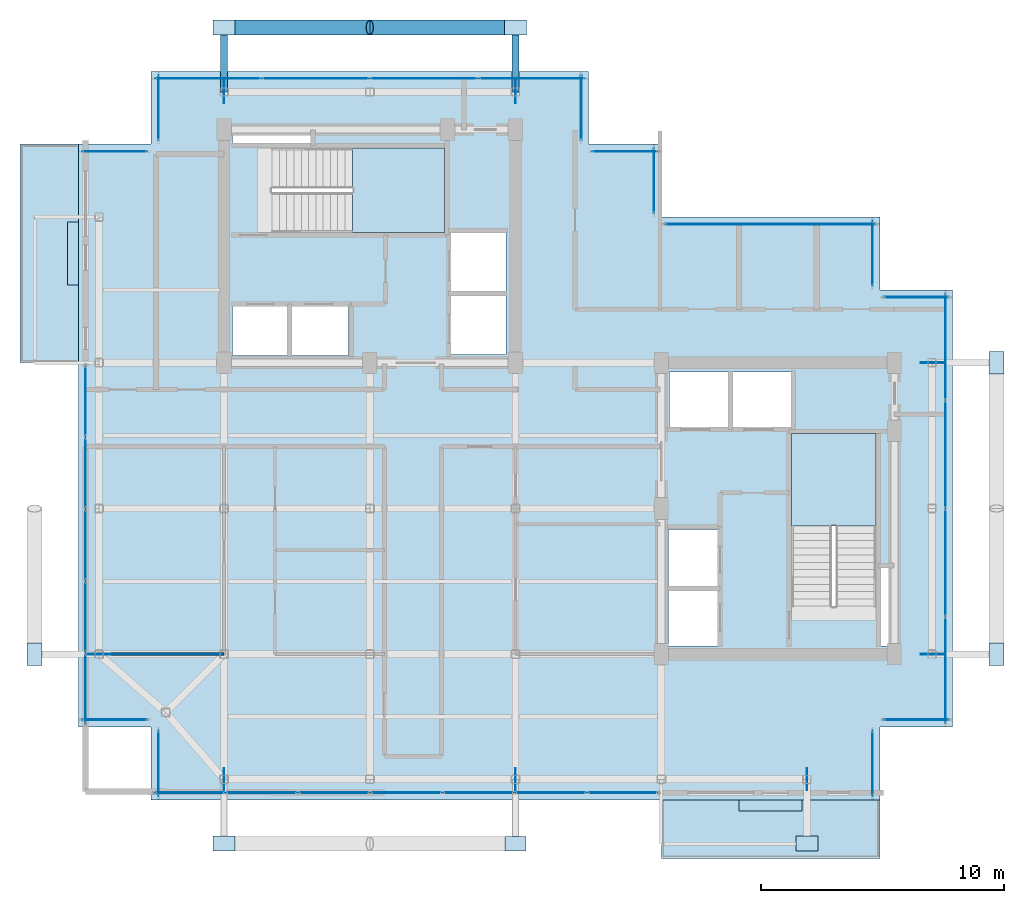
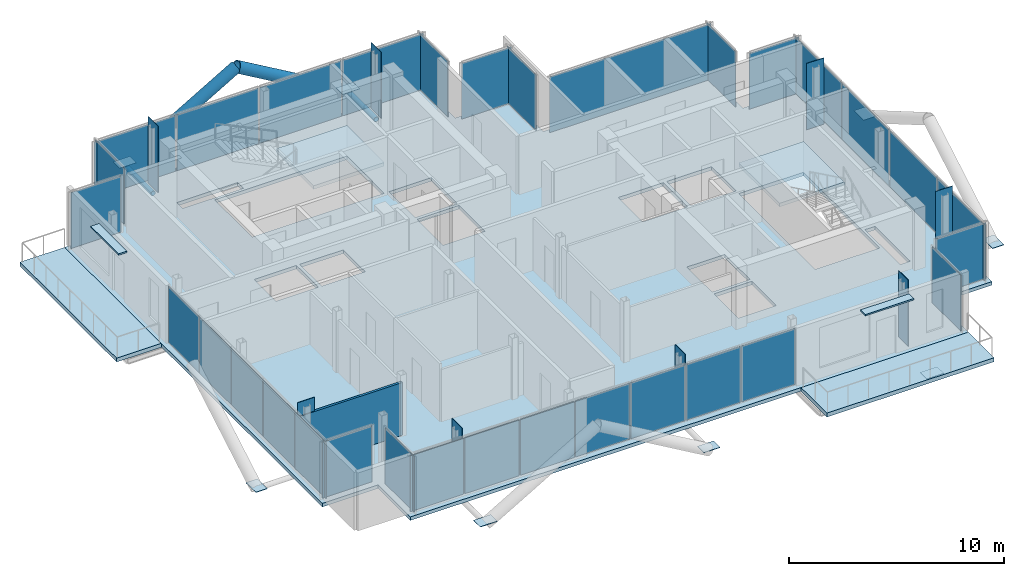
# One storey, part 14 of 19: 50 plates, 5 slabs, 4 members, 1 wall, 18 elements without a shape of their own.
"""IFC4 building model written with IfcOpenShell, lengths in metres."""

from ifc_helpers import new_model, si_unit, direction, frame, frame_2d, origin, origin_2d, place, context, subcontext, project, spatial, polyline, rectangle, hollow_circle, outline, extrude, material, layer, layer_set, material_profile, profile_set, type_object, element, aggregate, save


model = new_model("IFC4")

# Units and contexts
model_context = context("Model", 3, precision=1e-05, world=origin(), true_north=direction((0.0, 1.0)))
body_context = subcontext(model_context, "Body", "Model", "MODEL_VIEW")
ifc_project = project(units=[si_unit("LENGTHUNIT", "METRE"), si_unit("AREAUNIT", "SQUARE_METRE"), si_unit("VOLUMEUNIT", "CUBIC_METRE"), si_unit("PLANEANGLEUNIT", "RADIAN"), si_unit("MASSUNIT", "GRAM", prefix="KILO"), si_unit("THERMODYNAMICTEMPERATUREUNIT", "KELVIN"), si_unit("POWERUNIT", "WATT")], contexts=[model_context])

# Site, building, storey
site_placement = place(None, origin())
site = spatial("IfcSite", under=ifc_project, at=site_placement, CompositionType="ELEMENT")
building_placement = place(site_placement, origin())
building = spatial("IfcBuilding", under=site, at=building_placement, Name="Svarakhadi Broadcast Tower", CompositionType="ELEMENT")
storey_placement = place(building_placement, frame((0.0, 0.0, 243.199951171875)))
storey = spatial("IfcBuildingStorey", under=building, at=storey_placement, Name="L60", CompositionType="ELEMENT", Elevation=243.199951171875)

# Members
ifc_material_1 = material(Name="Steel S460ML (IS 2062 E450BR)", Category="steel")
ifc_material_profile_1 = material_profile(ifc_material_1, hollow_circle(Radius=0.304931640625, WallThickness=0.030029296875, at=origin_2d()), Name="CHS 610x30")
ifc_profile_set_1 = profile_set([ifc_material_profile_1], Name="Steel S460ML (IS 2062 E450BR)")
member_type_1 = type_object("IfcMemberType", Name="Exo_Brace_CHS610", PredefinedType="BRACE", material=ifc_profile_set_1)
for number, where, z_axis, x_axis, name in (
    (1, (6.0, 31.800048828125, -0.33642578125), (0.863778900898, 0.0, 0.503871025524), (0.0, 1.0, 0.0), "L60 Exposed Bronze Exoskeleton Diagonal N06"),
    (2, (18.0, 31.800048828125, -0.33642578125), (-0.863778900898, 0.0, 0.503871025524), (0.0, -1.0, 0.0), "L60 Exposed Bronze Exoskeleton Diagonal N07"),
):
    element("IfcMember", number, at=place(storey_placement, frame(where, z_axis=z_axis, x_axis=x_axis)), inside=storey, type_object=member_type_1, Name=name, PredefinedType="BRACE", context=body_context, shape_type="SweptSolid", body=[
        extrude(hollow_circle(Radius=0.304931640625, WallThickness=0.030029296875, at=origin_2d()), origin(), (0.0, 0.0, 1.0), 6.9462890625),
    ])
ifc_material_profile_2 = material_profile(ifc_material_1, hollow_circle(Radius=0.136474609375, WallThickness=0.012451171875, at=origin_2d()), Name="CHS 273x12.5")
ifc_profile_set_2 = profile_set([ifc_material_profile_2], Name="Steel S460ML (IS 2062 E450BR)")
member_type_2 = type_object("IfcMemberType", Name="Exo_Radial_Strut_Z3", PredefinedType="STRUT", material=ifc_profile_set_2)
for number, where, z_axis, x_axis, name in (
    (3, (6.0, 31.800048828125, -0.33642578125), (0.0, -1.0, 0.0), (1.0, 0.0, 0.0), "L60 Exoskeleton Radial Tie Strut N07"),
    (4, (18.0, 31.800048828125, -0.33642578125), (0.0, -1.0, 0.0), (1.0, 0.0, 0.0), "L60 Exoskeleton Radial Tie Strut N08"),
):
    element("IfcMember", number, at=place(storey_placement, frame(where, z_axis=z_axis, x_axis=x_axis)), inside=storey, type_object=member_type_2, Name=name, PredefinedType="STRUT", context=body_context, shape_type="SweptSolid", body=[
        extrude(hollow_circle(Radius=0.136474609375, WallThickness=0.012451171875, at=origin_2d()), origin(), (0.0, 0.0, 1.0), 2.650146484375),
    ])

# Curtain wall, plate
ifc_material_2 = material(Name="Anodised Bronze Aluminium AA 6063-T6", Category="aluminium")
ifc_layer_1 = layer(ifc_material_2, 0.179931640625)
ifc_layer_set_1 = layer_set([ifc_layer_1], Name="Anodised Bronze Aluminium AA 6063-T6")
curtain_wall_type = type_object("IfcCurtainWallType", Name="CW_Sys_05", PredefinedType="NOTDEFINED", material=ifc_layer_set_1)
curtain_wall_1_placement = place(storey_placement, origin())
curtain_wall_1 = element("IfcCurtainWall", 5, at=curtain_wall_1_placement, inside=storey, type_object=curtain_wall_type, Name="L60 Unitised Facade Curtain Wall 01", PredefinedType="NOTDEFINED")
ifc_material_3 = material(Name="Double Low-E Laminated Acoustic Glass IGU 36 mm", Category="glass")
ifc_layer_2 = layer(ifc_material_3, 0.033935546875)
ifc_layer_set_2 = layer_set([ifc_layer_2], Name="Double Low-E Laminated Acoustic Glass IGU 36 mm")
plate_type_1 = type_object("IfcPlateType", Name="CW_Sys_05_Pnl", PredefinedType="CURTAIN_PANEL", material=ifc_layer_set_2)
plate_1_placement = place(storey_placement, frame((1.5, 3.300048828125, 0.065185546875), z_axis=(0.0, 0.0, 1.0), x_axis=(-1.0, 0.0, 0.0)))
plate_1 = element("IfcPlate", 6, at=plate_1_placement, type_object=plate_type_1, Name="CW-05 panel 1.1", PredefinedType="CURTAIN_PANEL", context=body_context, shape_type="SweptSolid", body=[
    extrude(rectangle(XDim=2.679931640625, YDim=0.033935546875, at=origin_2d()), origin(), (0.0, 0.0, 1.0), 3.169921875),
])
aggregate(curtain_wall_1, [plate_1])

# Curtain wall, plates
curtain_wall_2_placement = place(storey_placement, origin())
curtain_wall_2 = element("IfcCurtainWall", 7, at=curtain_wall_2_placement, inside=storey, type_object=curtain_wall_type, Name="L60 West Curtain Wall 02", PredefinedType="NOTDEFINED")
plate_2_placement = place(storey_placement, frame((0.300048828125, 4.589599609375, 0.065185546875), z_axis=(0.0, 0.0, 1.0), x_axis=(0.0, 1.0, 0.0)))
plate_2 = element("IfcPlate", 8, at=plate_2_placement, type_object=plate_type_1, Name="CW-05 panel 1.1", PredefinedType="CURTAIN_PANEL", context=body_context, shape_type="SweptSolid", body=[
    extrude(rectangle(XDim=2.85888671875, YDim=0.033935546875, at=origin_2d()), origin(), (0.0, 0.0, 1.0), 3.169921875),
])
plate_3_placement = place(storey_placement, frame((0.300048828125, 7.535888671875, 0.065185546875), z_axis=(0.0, 0.0, 1.0), x_axis=(0.0, 1.0, 0.0)))
plate_3 = element("IfcPlate", 9, at=plate_3_placement, type_object=plate_type_1, Name="CW-05 panel 2.1", PredefinedType="CURTAIN_PANEL", context=body_context, shape_type="SweptSolid", body=[
    extrude(rectangle(XDim=2.89404296875, YDim=0.033935546875, at=origin_2d()), origin(), (0.0, 0.0, 1.0), 3.169921875),
])
plate_4_placement = place(storey_placement, frame((0.300048828125, 10.5, 0.065185546875), z_axis=(0.0, 0.0, 1.0), x_axis=(0.0, 1.0, 0.0)))
plate_4 = element("IfcPlate", 10, at=plate_4_placement, type_object=plate_type_1, Name="CW-05 panel 3.1", PredefinedType="CURTAIN_PANEL", context=body_context, shape_type="SweptSolid", body=[
    extrude(rectangle(XDim=2.89404296875, YDim=0.033935546875, at=origin_2d()), origin(), (0.0, 0.0, 1.0), 3.169921875),
])
plate_5_placement = place(storey_placement, frame((0.300048828125, 13.464111328125, 0.065185546875), z_axis=(0.0, 0.0, 1.0), x_axis=(0.0, 1.0, 0.0)))
plate_5 = element("IfcPlate", 11, at=plate_5_placement, type_object=plate_type_1, Name="CW-05 panel 4.1", PredefinedType="CURTAIN_PANEL", context=body_context, shape_type="SweptSolid", body=[
    extrude(rectangle(XDim=2.89404296875, YDim=0.033935546875, at=origin_2d()), origin(), (0.0, 0.0, 1.0), 3.169921875),
])
plate_6_placement = place(storey_placement, frame((0.300048828125, 16.410400390625, 0.065185546875), z_axis=(0.0, 0.0, 1.0), x_axis=(0.0, 1.0, 0.0)))
plate_6 = element("IfcPlate", 12, at=plate_6_placement, type_object=plate_type_1, Name="CW-05 panel 5.1", PredefinedType="CURTAIN_PANEL", context=body_context, shape_type="SweptSolid", body=[
    extrude(rectangle(XDim=2.85888671875, YDim=0.033935546875, at=origin_2d()), origin(), (0.0, 0.0, 1.0), 3.169921875),
])
aggregate(curtain_wall_2, [plate_2, plate_3, plate_4, plate_5, plate_6])

# Curtain wall, plate
curtain_wall_3_placement = place(storey_placement, origin())
curtain_wall_3 = element("IfcCurtainWall", 13, at=curtain_wall_3_placement, inside=storey, type_object=curtain_wall_type, Name="L60 Unitised Facade Curtain Wall 03", PredefinedType="NOTDEFINED")
plate_7_placement = place(storey_placement, frame((1.5, 26.699951171875, 0.065185546875), z_axis=(0.0, 0.0, 1.0), x_axis=(1.0, 0.0, 0.0)))
plate_7 = element("IfcPlate", 14, at=plate_7_placement, type_object=plate_type_1, Name="CW-05 panel 1.1", PredefinedType="CURTAIN_PANEL", context=body_context, shape_type="SweptSolid", body=[
    extrude(rectangle(XDim=2.679931640625, YDim=0.033935546875, at=origin_2d()), origin(), (0.0, 0.0, 1.0), 3.169921875),
])
aggregate(curtain_wall_3, [plate_7])

curtain_wall_4_placement = place(storey_placement, origin())
curtain_wall_4 = element("IfcCurtainWall", 15, at=curtain_wall_4_placement, inside=storey, type_object=curtain_wall_type, Name="L60 Unitised Facade Curtain Wall 04", PredefinedType="NOTDEFINED")
plate_8_placement = place(storey_placement, frame((3.300048828125, 28.5, 0.065185546875), z_axis=(0.0, 0.0, 1.0), x_axis=(0.0, 1.0, 0.0)))
plate_8 = element("IfcPlate", 16, at=plate_8_placement, type_object=plate_type_1, Name="CW-05 panel 1.1", PredefinedType="CURTAIN_PANEL", context=body_context, shape_type="SweptSolid", body=[
    extrude(rectangle(XDim=2.679931640625, YDim=0.033935546875, at=origin_2d()), origin(), (0.0, 0.0, 1.0), 3.169921875),
])
aggregate(curtain_wall_4, [plate_8])

# Curtain wall, plates
curtain_wall_5_placement = place(storey_placement, origin())
curtain_wall_5 = element("IfcCurtainWall", 17, at=curtain_wall_5_placement, inside=storey, type_object=curtain_wall_type, Name="L60 Unitised Facade Curtain Wall 05", PredefinedType="NOTDEFINED")
plate_9_placement = place(storey_placement, frame((5.3349609375, 29.699951171875, 0.065185546875), z_axis=(0.0, 0.0, 1.0), x_axis=(1.0, 0.0, 0.0)))
plate_9 = element("IfcPlate", 18, at=plate_9_placement, type_object=plate_type_1, Name="CW-05 panel 1.1", PredefinedType="CURTAIN_PANEL", context=body_context, shape_type="SweptSolid", body=[
    extrude(rectangle(XDim=4.35009765625, YDim=0.033935546875, at=origin_2d()), origin(), (0.0, 0.0, 1.0), 3.169921875),
])
plate_10_placement = place(storey_placement, frame((9.7724609375, 29.699951171875, 0.065185546875), z_axis=(0.0, 0.0, 1.0), x_axis=(1.0, 0.0, 0.0)))
plate_10 = element("IfcPlate", 19, at=plate_10_placement, type_object=plate_type_1, Name="CW-05 panel 2.1", PredefinedType="CURTAIN_PANEL", context=body_context, shape_type="SweptSolid", body=[
    extrude(rectangle(XDim=4.385009765625, YDim=0.033935546875, at=origin_2d()), origin(), (0.0, 0.0, 1.0), 3.169921875),
])
plate_11_placement = place(storey_placement, frame((14.2275390625, 29.699951171875, 0.065185546875), z_axis=(0.0, 0.0, 1.0), x_axis=(1.0, 0.0, 0.0)))
plate_11 = element("IfcPlate", 20, at=plate_11_placement, type_object=plate_type_1, Name="CW-05 panel 3.1", PredefinedType="CURTAIN_PANEL", context=body_context, shape_type="SweptSolid", body=[
    extrude(rectangle(XDim=4.385009765625, YDim=0.033935546875, at=origin_2d()), origin(), (0.0, 0.0, 1.0), 3.169921875),
])
plate_12_placement = place(storey_placement, frame((18.6650390625, 29.699951171875, 0.065185546875), z_axis=(0.0, 0.0, 1.0), x_axis=(1.0, 0.0, 0.0)))
plate_12 = element("IfcPlate", 21, at=plate_12_placement, type_object=plate_type_1, Name="CW-05 panel 4.1", PredefinedType="CURTAIN_PANEL", context=body_context, shape_type="SweptSolid", body=[
    extrude(rectangle(XDim=4.35009765625, YDim=0.033935546875, at=origin_2d()), origin(), (0.0, 0.0, 1.0), 3.169921875),
])
aggregate(curtain_wall_5, [plate_9, plate_10, plate_11, plate_12])

# Curtain wall, plate
curtain_wall_6_placement = place(storey_placement, origin())
curtain_wall_6 = element("IfcCurtainWall", 22, at=curtain_wall_6_placement, inside=storey, type_object=curtain_wall_type, Name="L60 Unitised Facade Curtain Wall 06", PredefinedType="NOTDEFINED")
plate_13_placement = place(storey_placement, frame((20.699951171875, 28.5, 0.065185546875), z_axis=(0.0, 0.0, 1.0), x_axis=(0.0, -1.0, 0.0)))
plate_13 = element("IfcPlate", 23, at=plate_13_placement, type_object=plate_type_1, Name="CW-05 panel 1.1", PredefinedType="CURTAIN_PANEL", context=body_context, shape_type="SweptSolid", body=[
    extrude(rectangle(XDim=2.679931640625, YDim=0.033935546875, at=origin_2d()), origin(), (0.0, 0.0, 1.0), 3.169921875),
])
aggregate(curtain_wall_6, [plate_13])

curtain_wall_7_placement = place(storey_placement, origin())
curtain_wall_7 = element("IfcCurtainWall", 24, at=curtain_wall_7_placement, inside=storey, type_object=curtain_wall_type, Name="L60 Unitised Facade Curtain Wall 07", PredefinedType="NOTDEFINED")
plate_14_placement = place(storey_placement, frame((22.5, 26.699951171875, 0.065185546875), z_axis=(0.0, 0.0, 1.0), x_axis=(1.0, 0.0, 0.0)))
plate_14 = element("IfcPlate", 25, at=plate_14_placement, type_object=plate_type_1, Name="CW-05 panel 1.1", PredefinedType="CURTAIN_PANEL", context=body_context, shape_type="SweptSolid", body=[
    extrude(rectangle(XDim=2.679931640625, YDim=0.033935546875, at=origin_2d()), origin(), (0.0, 0.0, 1.0), 3.169921875),
])
aggregate(curtain_wall_7, [plate_14])

curtain_wall_8_placement = place(storey_placement, origin())
curtain_wall_8 = element("IfcCurtainWall", 26, at=curtain_wall_8_placement, inside=storey, type_object=curtain_wall_type, Name="L60 Unitised Facade Curtain Wall 08", PredefinedType="NOTDEFINED")
plate_15_placement = place(storey_placement, frame((23.699951171875, 25.5, 0.065185546875), z_axis=(0.0, 0.0, 1.0), x_axis=(0.0, -1.0, 0.0)))
plate_15 = element("IfcPlate", 27, at=plate_15_placement, type_object=plate_type_1, Name="CW-05 panel 1.1", PredefinedType="CURTAIN_PANEL", context=body_context, shape_type="SweptSolid", body=[
    extrude(rectangle(XDim=2.679931640625, YDim=0.033935546875, at=origin_2d()), origin(), (0.0, 0.0, 1.0), 3.169921875),
])
aggregate(curtain_wall_8, [plate_15])

curtain_wall_9_placement = place(storey_placement, origin())
curtain_wall_9 = element("IfcCurtainWall", 28, at=curtain_wall_9_placement, inside=storey, type_object=curtain_wall_type, Name="L60 Unitised Facade Curtain Wall 09", PredefinedType="NOTDEFINED")
plate_16_placement = place(storey_placement, frame((28.5, 23.699951171875, 0.065185546875), z_axis=(0.0, 0.0, 1.0), x_axis=(1.0, 0.0, 0.0)))
plate_16 = element("IfcPlate", 29, at=plate_16_placement, type_object=plate_type_1, Name="CW-05 panel 1.1", PredefinedType="CURTAIN_PANEL", context=body_context, shape_type="SweptSolid", body=[
    extrude(rectangle(XDim=8.679931640625, YDim=0.033935546875, at=origin_2d()), origin(), (0.0, 0.0, 1.0), 3.169921875),
])
aggregate(curtain_wall_9, [plate_16])

curtain_wall_10_placement = place(storey_placement, origin())
curtain_wall_10 = element("IfcCurtainWall", 30, at=curtain_wall_10_placement, inside=storey, type_object=curtain_wall_type, Name="L60 Unitised Facade Curtain Wall 10", PredefinedType="NOTDEFINED")
plate_17_placement = place(storey_placement, frame((32.699951171875, 22.5, 0.065185546875), z_axis=(0.0, 0.0, 1.0), x_axis=(0.0, -1.0, 0.0)))
plate_17 = element("IfcPlate", 31, at=plate_17_placement, type_object=plate_type_1, Name="CW-05 panel 1.1", PredefinedType="CURTAIN_PANEL", context=body_context, shape_type="SweptSolid", body=[
    extrude(rectangle(XDim=2.679931640625, YDim=0.033935546875, at=origin_2d()), origin(), (0.0, 0.0, 1.0), 3.169921875),
])
aggregate(curtain_wall_10, [plate_17])

curtain_wall_11_placement = place(storey_placement, origin())
curtain_wall_11 = element("IfcCurtainWall", 32, at=curtain_wall_11_placement, inside=storey, type_object=curtain_wall_type, Name="L60 Unitised Facade Curtain Wall 11", PredefinedType="NOTDEFINED")
plate_18_placement = place(storey_placement, frame((34.5, 20.699951171875, 0.065185546875), z_axis=(0.0, 0.0, 1.0), x_axis=(1.0, 0.0, 0.0)))
plate_18 = element("IfcPlate", 33, at=plate_18_placement, type_object=plate_type_1, Name="CW-05 panel 1.1", PredefinedType="CURTAIN_PANEL", context=body_context, shape_type="SweptSolid", body=[
    extrude(rectangle(XDim=2.679931640625, YDim=0.033935546875, at=origin_2d()), origin(), (0.0, 0.0, 1.0), 3.169921875),
])
aggregate(curtain_wall_11, [plate_18])

# Curtain wall, plates
curtain_wall_12_placement = place(storey_placement, origin())
curtain_wall_12 = element("IfcCurtainWall", 34, at=curtain_wall_12_placement, inside=storey, type_object=curtain_wall_type, Name="L60 Unitised Facade Curtain Wall 12", PredefinedType="NOTDEFINED")
plate_19_placement = place(storey_placement, frame((35.699951171875, 18.6650390625, 0.065185546875), z_axis=(0.0, 0.0, 1.0), x_axis=(0.0, -1.0, 0.0)))
plate_19 = element("IfcPlate", 35, at=plate_19_placement, type_object=plate_type_1, Name="CW-05 panel 1.1", PredefinedType="CURTAIN_PANEL", context=body_context, shape_type="SweptSolid", body=[
    extrude(rectangle(XDim=4.35009765625, YDim=0.033935546875, at=origin_2d()), origin(), (0.0, 0.0, 1.0), 3.169921875),
])
plate_20_placement = place(storey_placement, frame((35.699951171875, 14.2275390625, 0.065185546875), z_axis=(0.0, 0.0, 1.0), x_axis=(0.0, -1.0, 0.0)))
plate_20 = element("IfcPlate", 36, at=plate_20_placement, type_object=plate_type_1, Name="CW-05 panel 2.1", PredefinedType="CURTAIN_PANEL", context=body_context, shape_type="SweptSolid", body=[
    extrude(rectangle(XDim=4.385009765625, YDim=0.033935546875, at=origin_2d()), origin(), (0.0, 0.0, 1.0), 3.169921875),
])
plate_21_placement = place(storey_placement, frame((35.699951171875, 9.7724609375, 0.065185546875), z_axis=(0.0, 0.0, 1.0), x_axis=(0.0, -1.0, 0.0)))
plate_21 = element("IfcPlate", 37, at=plate_21_placement, type_object=plate_type_1, Name="CW-05 panel 3.1", PredefinedType="CURTAIN_PANEL", context=body_context, shape_type="SweptSolid", body=[
    extrude(rectangle(XDim=4.385009765625, YDim=0.033935546875, at=origin_2d()), origin(), (0.0, 0.0, 1.0), 3.169921875),
])
plate_22_placement = place(storey_placement, frame((35.699951171875, 5.3349609375, 0.065185546875), z_axis=(0.0, 0.0, 1.0), x_axis=(0.0, -1.0, 0.0)))
plate_22 = element("IfcPlate", 38, at=plate_22_placement, type_object=plate_type_1, Name="CW-05 panel 4.1", PredefinedType="CURTAIN_PANEL", context=body_context, shape_type="SweptSolid", body=[
    extrude(rectangle(XDim=4.35009765625, YDim=0.033935546875, at=origin_2d()), origin(), (0.0, 0.0, 1.0), 3.169921875),
])
aggregate(curtain_wall_12, [plate_19, plate_20, plate_21, plate_22])

# Curtain wall, plate
curtain_wall_13_placement = place(storey_placement, origin())
curtain_wall_13 = element("IfcCurtainWall", 39, at=curtain_wall_13_placement, inside=storey, type_object=curtain_wall_type, Name="L60 Unitised Facade Curtain Wall 13", PredefinedType="NOTDEFINED")
plate_23_placement = place(storey_placement, frame((34.5, 3.300048828125, 0.065185546875), z_axis=(0.0, 0.0, 1.0), x_axis=(-1.0, 0.0, 0.0)))
plate_23 = element("IfcPlate", 40, at=plate_23_placement, type_object=plate_type_1, Name="CW-05 panel 1.1", PredefinedType="CURTAIN_PANEL", context=body_context, shape_type="SweptSolid", body=[
    extrude(rectangle(XDim=2.679931640625, YDim=0.033935546875, at=origin_2d()), origin(), (0.0, 0.0, 1.0), 3.169921875),
])
aggregate(curtain_wall_13, [plate_23])

curtain_wall_14_placement = place(storey_placement, origin())
curtain_wall_14 = element("IfcCurtainWall", 41, at=curtain_wall_14_placement, inside=storey, type_object=curtain_wall_type, Name="L60 Unitised Facade Curtain Wall 14", PredefinedType="NOTDEFINED")
plate_24_placement = place(storey_placement, frame((32.699951171875, 1.5, 0.065185546875), z_axis=(0.0, 0.0, 1.0), x_axis=(0.0, -1.0, 0.0)))
plate_24 = element("IfcPlate", 42, at=plate_24_placement, type_object=plate_type_1, Name="CW-05 panel 1.1", PredefinedType="CURTAIN_PANEL", context=body_context, shape_type="SweptSolid", body=[
    extrude(rectangle(XDim=2.679931640625, YDim=0.033935546875, at=origin_2d()), origin(), (0.0, 0.0, 1.0), 3.169921875),
])
aggregate(curtain_wall_14, [plate_24])

# Curtain wall, plates
curtain_wall_15_placement = place(storey_placement, origin())
curtain_wall_15 = element("IfcCurtainWall", 43, at=curtain_wall_15_placement, inside=storey, type_object=curtain_wall_type, Name="L60 South Curtain Wall 15", PredefinedType="NOTDEFINED")
plate_25_placement = place(storey_placement, frame((22.4052734375, 0.300048828125, 0.065185546875), z_axis=(0.0, 0.0, 1.0), x_axis=(-1.0, 0.0, 0.0)))
plate_25 = element("IfcPlate", 44, at=plate_25_placement, type_object=plate_type_1, Name="CW-05 panel 1.1", PredefinedType="CURTAIN_PANEL", context=body_context, shape_type="SweptSolid", body=[
    extrude(rectangle(XDim=2.869384765625, YDim=0.033935546875, at=origin_2d()), origin(), (0.0, 0.0, 1.0), 3.169921875),
])
plate_26_placement = place(storey_placement, frame((19.448486328125, 0.300048828125, 0.065185546875), z_axis=(0.0, 0.0, 1.0), x_axis=(-1.0, 0.0, 0.0)))
plate_26 = element("IfcPlate", 45, at=plate_26_placement, type_object=plate_type_1, Name="CW-05 panel 2.1", PredefinedType="CURTAIN_PANEL", context=body_context, shape_type="SweptSolid", body=[
    extrude(rectangle(XDim=2.904296875, YDim=0.033935546875, at=origin_2d()), origin(), (0.0, 0.0, 1.0), 3.169921875),
])
plate_27_placement = place(storey_placement, frame((16.474365234375, 0.300048828125, 0.065185546875), z_axis=(0.0, 0.0, 1.0), x_axis=(-1.0, 0.0, 0.0)))
plate_27 = element("IfcPlate", 46, at=plate_27_placement, type_object=plate_type_1, Name="CW-05 panel 3.1", PredefinedType="CURTAIN_PANEL", context=body_context, shape_type="SweptSolid", body=[
    extrude(rectangle(XDim=2.904296875, YDim=0.033935546875, at=origin_2d()), origin(), (0.0, 0.0, 1.0), 3.169921875),
])
plate_28_placement = place(storey_placement, frame((13.5, 0.300048828125, 0.065185546875), z_axis=(0.0, 0.0, 1.0), x_axis=(-1.0, 0.0, 0.0)))
plate_28 = element("IfcPlate", 47, at=plate_28_placement, type_object=plate_type_1, Name="CW-05 panel 4.1", PredefinedType="CURTAIN_PANEL", context=body_context, shape_type="SweptSolid", body=[
    extrude(rectangle(XDim=2.904296875, YDim=0.033935546875, at=origin_2d()), origin(), (0.0, 0.0, 1.0), 3.169921875),
])
plate_29_placement = place(storey_placement, frame((10.525634765625, 0.300048828125, 0.065185546875), z_axis=(0.0, 0.0, 1.0), x_axis=(-1.0, 0.0, 0.0)))
plate_29 = element("IfcPlate", 48, at=plate_29_placement, type_object=plate_type_1, Name="CW-05 panel 5.1", PredefinedType="CURTAIN_PANEL", context=body_context, shape_type="SweptSolid", body=[
    extrude(rectangle(XDim=2.904296875, YDim=0.033935546875, at=origin_2d()), origin(), (0.0, 0.0, 1.0), 3.169921875),
])
plate_30_placement = place(storey_placement, frame((7.551513671875, 0.300048828125, 0.065185546875), z_axis=(0.0, 0.0, 1.0), x_axis=(-1.0, 0.0, 0.0)))
plate_30 = element("IfcPlate", 49, at=plate_30_placement, type_object=plate_type_1, Name="CW-05 panel 6.1", PredefinedType="CURTAIN_PANEL", context=body_context, shape_type="SweptSolid", body=[
    extrude(rectangle(XDim=2.904296875, YDim=0.033935546875, at=origin_2d()), origin(), (0.0, 0.0, 1.0), 3.169921875),
])
plate_31_placement = place(storey_placement, frame((4.5947265625, 0.300048828125, 0.065185546875), z_axis=(0.0, 0.0, 1.0), x_axis=(-1.0, 0.0, 0.0)))
plate_31 = element("IfcPlate", 50, at=plate_31_placement, type_object=plate_type_1, Name="CW-05 panel 7.1", PredefinedType="CURTAIN_PANEL", context=body_context, shape_type="SweptSolid", body=[
    extrude(rectangle(XDim=2.869384765625, YDim=0.033935546875, at=origin_2d()), origin(), (0.0, 0.0, 1.0), 3.169921875),
])
aggregate(curtain_wall_15, [plate_25, plate_26, plate_27, plate_28, plate_29, plate_30, plate_31])

# Curtain wall, plate
curtain_wall_16_placement = place(storey_placement, origin())
curtain_wall_16 = element("IfcCurtainWall", 51, at=curtain_wall_16_placement, inside=storey, type_object=curtain_wall_type, Name="L60 Unitised Facade Curtain Wall 16", PredefinedType="NOTDEFINED")
plate_32_placement = place(storey_placement, frame((3.300048828125, 1.5, 0.065185546875), z_axis=(0.0, 0.0, 1.0), x_axis=(0.0, 1.0, 0.0)))
plate_32 = element("IfcPlate", 52, at=plate_32_placement, type_object=plate_type_1, Name="CW-05 panel 1.1", PredefinedType="CURTAIN_PANEL", context=body_context, shape_type="SweptSolid", body=[
    extrude(rectangle(XDim=2.679931640625, YDim=0.033935546875, at=origin_2d()), origin(), (0.0, 0.0, 1.0), 3.169921875),
])
aggregate(curtain_wall_16, [plate_32])

# Plates
ifc_layer_3 = layer(ifc_material_1, 0.02490234375)
ifc_layer_set_3 = layer_set([ifc_layer_3], Name="Steel S460ML (IS 2062 E450BR)")
plate_type_2 = type_object("IfcPlateType", Name="Node_Gusset_N05", PredefinedType="SHEET", material=ifc_layer_set_3)
plate_33_placement = place(storey_placement, frame((18.0, -1.800048828125, -0.199951171875), z_axis=(0.0, 0.0, 1.0), x_axis=(1.0, 0.0, 0.0)))
element("IfcPlate", 53, at=plate_33_placement, inside=storey, type_object=plate_type_2, Name="L60 Exoskeleton Gusset Node Plate S02", PredefinedType="SHEET", context=body_context, shape_type="SweptSolid", body=[
    extrude(rectangle(XDim=0.8798828125, YDim=0.60009765625, at=origin_2d()), origin(), (0.0, 0.0, 1.0), 0.02490234375),
])
ifc_layer_4 = layer(ifc_material_1, 0.02587890625)
ifc_layer_set_4 = layer_set([ifc_layer_4], Name="Steel S460ML (IS 2062 E450BR)")
plate_type_3 = type_object("IfcPlateType", Name="Node_Gusset_N07", PredefinedType="SHEET", material=ifc_layer_set_4)
for number, where, z_axis, x_axis, name in (
    (54, (6.0, -1.800048828125, -0.199951171875), (0.0, 0.0, 1.0), (1.0, 0.0, 0.0), "L60 Exoskeleton Gusset Node Plate S01"),
    (55, (30.0, -1.800048828125, -0.199951171875), (0.0, 0.0, 1.0), (1.0, 0.0, 0.0), "L60 Exoskeleton Gusset Node Plate S03"),
    (56, (-1.800048828125, 6.0, -0.199951171875), (0.0, 0.0, 1.0), (0.0, 1.0, 0.0), "L60 Exoskeleton Gusset Node Plate W04"),
    (57, (37.800048828125, 6.0, -0.199951171875), (0.0, 0.0, 1.0), (0.0, 1.0, 0.0), "L60 Exoskeleton Gusset Node Plate E05"),
    (58, (37.800048828125, 18.0, -0.199951171875), (0.0, 0.0, 1.0), (0.0, 1.0, 0.0), "L60 Exoskeleton Gusset Node Plate E06"),
    (59, (6.0, 31.800048828125, -0.199951171875), (0.0, 0.0, 1.0), (1.0, 0.0, 0.0), "L60 Exoskeleton Gusset Node Plate N07"),
    (60, (18.0, 31.800048828125, -0.199951171875), (0.0, 0.0, 1.0), (1.0, 0.0, 0.0), "L60 Exoskeleton Gusset Node Plate N08"),
):
    element("IfcPlate", number, at=place(storey_placement, frame(where, z_axis=z_axis, x_axis=x_axis)), inside=storey, type_object=plate_type_3, Name=name, PredefinedType="SHEET", context=body_context, shape_type="SweptSolid", body=[
        extrude(rectangle(XDim=0.919921875, YDim=0.6201171875, at=origin_2d()), origin(), (0.0, 0.0, 1.0), 0.02587890625),
    ])
for number, where, z_axis, x_axis, name in (
    (61, (6.0, 0.85009765625, -0.53662109375), (0.0, 0.0, 1.0), (0.0, 1.0, 0.0), "L60 Brace End Connection Gusset Plate N-07-E0489"),
    (62, (18.0, 0.85009765625, -0.53662109375), (0.0, 0.0, 1.0), (0.0, 1.0, 0.0), "L60 Brace End Connection Gusset Plate N-07-E0490"),
    (63, (30.0, 0.85009765625, -0.53662109375), (0.0, 0.0, 1.0), (0.0, 1.0, 0.0), "L60 Brace End Connection Gusset Plate N-07-E0491"),
    (64, (0.85009765625, 6.0, -0.53662109375), (0.0, 0.0, 1.0), (1.0, 0.0, 0.0), "L60 Brace End Connection Gusset Plate N-07-E0492"),
    (65, (35.14990234375, 6.0, -0.53662109375), (0.0, 0.0, 1.0), (1.0, 0.0, 0.0), "L60 Brace End Connection Gusset Plate N-07-E0493"),
    (66, (35.14990234375, 18.0, -0.53662109375), (0.0, 0.0, 1.0), (1.0, 0.0, 0.0), "L60 Brace End Connection Gusset Plate N-07-E0494"),
    (67, (6.0, 29.14990234375, -0.53662109375), (0.0, 0.0, 1.0), (0.0, 1.0, 0.0), "L60 Brace End Connection Gusset Plate N-07-E0495"),
    (68, (18.0, 29.14990234375, -0.53662109375), (0.0, 0.0, 1.0), (0.0, 1.0, 0.0), "L60 Brace End Connection Gusset Plate N-07-E0496"),
):
    element("IfcPlate", number, at=place(storey_placement, frame(where, z_axis=z_axis, x_axis=x_axis)), inside=storey, type_object=plate_type_3, Name=name, PredefinedType="SHEET", context=body_context, shape_type="SweptSolid", body=[
        extrude(rectangle(XDim=0.919921875, YDim=0.02587890625, at=origin_2d()), origin(), (0.0, 0.0, 1.0), 4.300048828125),
    ])

# Slab
ifc_material_4 = material(Name="Concrete C40/50 (IS 456 M50)", Category="concrete")
ifc_layer_5 = layer(ifc_material_4, 0.199951171875)
ifc_layer_set_5 = layer_set([ifc_layer_5], Name="Concrete C40/50 (IS 456 M50)")
slab_type_1 = type_object("IfcSlabType", Name="Slab_Floor_200", PredefinedType="FLOOR", material=ifc_layer_set_5)
slab_1_placement = place(storey_placement, frame((0.0, 0.0, -0.199951171875)))
element("IfcSlab", 69, at=slab_1_placement, inside=storey, type_object=slab_type_1, Name="L60 Structural Floor Slab", PredefinedType="FLOOR", context=body_context, shape_type="SweptSolid", body=[
    extrude(outline(polyline([(3.0, 0.0), (33.0, 0.0), (33.0, 3.0), (36.0, 3.0), (36.0, 21.0), (33.0, 21.0), (33.0, 24.0), (24.0, 24.0), (24.0, 27.0), (21.0, 27.0), (21.0, 30.0), (3.0, 30.0), (3.0, 27.0), (0.0, 27.0), (0.0, 3.0), (3.0, 3.0), (3.0, 0.0)]), holes=[polyline([(7.97998046875, 23.360107421875), (15.080078125, 23.360107421875), (15.080078125, 26.840087890625), (7.97998046875, 26.840087890625), (7.97998046875, 23.360107421875)]), polyline([(32.840087890625, 7.97998046875), (32.840087890625, 15.080078125), (29.360107421875, 15.080078125), (29.360107421875, 7.97998046875), (32.840087890625, 7.97998046875)]), polyline([(6.340087890625, 18.2900390625), (8.610107421875, 18.2900390625), (8.610107421875, 20.330078125), (6.340087890625, 20.330078125), (6.340087890625, 18.2900390625)]), polyline([(8.7900390625, 18.2900390625), (11.1298828125, 18.2900390625), (11.1298828125, 20.330078125), (8.7900390625, 20.330078125), (8.7900390625, 18.2900390625)]), polyline([(24.2900390625, 6.340087890625), (26.330078125, 6.340087890625), (26.330078125, 8.610107421875), (24.2900390625, 8.610107421875), (24.2900390625, 6.340087890625)]), polyline([(24.2900390625, 8.7900390625), (26.330078125, 8.7900390625), (26.330078125, 11.1298828125), (24.2900390625, 11.1298828125), (24.2900390625, 8.7900390625)]), polyline([(6.340087890625, 26.989990234375), (9.610107421875, 26.989990234375), (9.610107421875, 27.530029296875), (6.340087890625, 27.530029296875), (6.340087890625, 26.989990234375)]), polyline([(32.989990234375, 6.340087890625), (33.530029296875, 6.340087890625), (33.530029296875, 9.610107421875), (32.989990234375, 9.610107421875), (32.989990234375, 6.340087890625)]), polyline([(15.340087890625, 18.340087890625), (17.610107421875, 18.340087890625), (17.610107421875, 20.760009765625), (15.340087890625, 20.760009765625), (15.340087890625, 18.340087890625)]), polyline([(15.340087890625, 20.93994140625), (17.610107421875, 20.93994140625), (17.610107421875, 23.360107421875), (15.340087890625, 23.360107421875), (15.340087890625, 20.93994140625)]), polyline([(24.340087890625, 15.340087890625), (26.760009765625, 15.340087890625), (26.760009765625, 17.610107421875), (24.340087890625, 17.610107421875), (24.340087890625, 15.340087890625)]), polyline([(26.93994140625, 15.340087890625), (29.360107421875, 15.340087890625), (29.360107421875, 17.610107421875), (26.93994140625, 17.610107421875), (26.93994140625, 15.340087890625)])]), origin(), (0.0, 0.0, 1.0), 0.199951171875),
])

# Stair, slab
stair_type = type_object("IfcStairType", Name="Stair_Exit_Core", PredefinedType="HALF_TURN_STAIR", material=ifc_material_4)
stair_1_placement = place(storey_placement, origin())
stair_1 = element("IfcStair", 70, at=stair_1_placement, inside=storey, type_object=stair_type, Name="L60 West Core Protected Exit Stair ST-01", PredefinedType="HALF_TURN_STAIR")
ifc_layer_6 = layer(ifc_material_4, 0.199951171875)
ifc_layer_set_6 = layer_set([ifc_layer_6], Name="Concrete C40/50 (IS 456 M50)")
slab_type_2 = type_object("IfcSlabType", Name="Slab_Stair_Land", PredefinedType="LANDING", material=ifc_layer_set_6)
slab_2_placement = place(storey_placement, frame((0.0, 0.0, 1.550048828125)))
slab_2 = element("IfcSlab", 71, at=slab_2_placement, type_object=slab_type_2, Name="ST-01 landing 1", PredefinedType="LANDING", context=body_context, shape_type="SweptSolid", body=[
    extrude(outline(polyline([(11.280029296875, 23.360107421875), (15.080078125, 23.360107421875), (15.080078125, 26.840087890625), (11.280029296875, 26.840087890625), (11.280029296875, 23.360107421875)])), origin(), (0.0, 0.0, 1.0), 0.199951171875),
])
aggregate(stair_1, [slab_2])

stair_2_placement = place(storey_placement, origin())
stair_2 = element("IfcStair", 72, at=stair_2_placement, inside=storey, type_object=stair_type, Name="L60 East Core Protected Exit Stair ST-02", PredefinedType="HALF_TURN_STAIR")
slab_3_placement = place(storey_placement, frame((0.0, 0.0, 1.550048828125)))
slab_3 = element("IfcSlab", 73, at=slab_3_placement, type_object=slab_type_2, Name="ST-02 landing 1", PredefinedType="LANDING", context=body_context, shape_type="SweptSolid", body=[
    extrude(outline(polyline([(32.840087890625, 11.280029296875), (32.840087890625, 15.080078125), (29.360107421875, 15.080078125), (29.360107421875, 11.280029296875), (32.840087890625, 11.280029296875)])), origin(), (0.0, 0.0, 1.0), 0.199951171875),
])
aggregate(stair_2, [slab_3])

# Slabs
ifc_layer_7 = layer(ifc_material_4, 0.22509765625)
ifc_layer_set_7 = layer_set([ifc_layer_7], Name="Concrete C40/50 (IS 456 M50)")
slab_type_3 = type_object("IfcSlabType", Name="Slab_TreeBalcony", PredefinedType="FLOOR", material=ifc_layer_set_7)
slab_4_placement = place(storey_placement, frame((0.0, 0.0, -0.224853515625)))
element("IfcSlab", 74, at=slab_4_placement, inside=storey, type_object=slab_type_3, Name="L60 Planted Tree Balcony Slab BAL-E", PredefinedType="FLOOR", context=body_context, shape_type="SweptSolid", body=[
    extrude(outline(polyline([(24.0, -2.39990234375), (33.0, -2.39990234375), (33.0, 0.0), (24.0, 0.0), (24.0, -2.39990234375)])), origin(), (0.0, 0.0, 1.0), 0.224853515625),
])
slab_5_placement = place(storey_placement, frame((0.0, 0.0, -0.224853515625)))
element("IfcSlab", 75, at=slab_5_placement, inside=storey, type_object=slab_type_3, Name="L60 Planted Tree Balcony Slab BAL-N", PredefinedType="FLOOR", context=body_context, shape_type="SweptSolid", body=[
    extrude(outline(polyline([(-2.39990234375, 18.0), (0.0, 18.0), (0.0, 27.0), (-2.39990234375, 27.0), (-2.39990234375, 18.0)])), origin(), (0.0, 0.0, 1.0), 0.224853515625),
])

# Plates
ifc_layer_8 = layer(ifc_material_2, 0.080078125)
ifc_layer_set_8 = layer_set([ifc_layer_8], Name="Anodised Bronze Aluminium AA 6063-T6")
plate_type_4 = type_object("IfcPlateType", Name="Sunshade_Fin_SS01", PredefinedType="USERDEFINED", material=ifc_layer_set_8)
for number, where, z_axis, x_axis, name in (
    (76, (28.5, -0.22509765625, 3.219970703125), (0.0, 0.0, 1.0), (1.0, 0.0, 0.0), "L60 South Bronze Brise-Soleil Sunshade SS-01"),
    (77, (-0.22509765625, 22.5, 3.219970703125), (0.0, 0.0, 1.0), (0.0, 1.0, 0.0), "L60 West Bronze Brise-Soleil Sunshade SS-01"),
):
    element("IfcPlate", number, at=place(storey_placement, frame(where, z_axis=z_axis, x_axis=x_axis)), inside=storey, type_object=plate_type_4, Name=name, ObjectType="SUNSHADE", PredefinedType="USERDEFINED", context=body_context, shape_type="SweptSolid", body=[
        extrude(rectangle(XDim=2.60009765625, YDim=0.449951171875, at=origin_2d()), origin(), (0.0, 0.0, 1.0), 0.080078125),
    ])

# Wall
ifc_material_5 = material(Name="Fire-Rated Moisture-Resistant Gypsum Board Partition", Category="gypsum")
ifc_layer_9 = layer(ifc_material_5, 0.125)
ifc_layer_set_9 = layer_set([ifc_layer_9], Name="Fire-Rated Moisture-Resistant Gypsum Board Partition")
wall_type = type_object("IfcWallType", Name="Wall_Part_125", PredefinedType="PARTITIONING", material=ifc_layer_set_9)
wall_placement = place(storey_placement, frame((0.300048828125, 6.0, 0.0), z_axis=(0.0, 0.0, 1.0), x_axis=(1.0, 0.0, 0.0)))
element("IfcWall", 78, at=wall_placement, inside=storey, type_object=wall_type, Name="L60 Apartment A Primary Bedroom Wall", PredefinedType="PARTITIONING", context=body_context, shape_type="SweptSolid", body=[
    extrude(rectangle(XDim=5.699951171875, YDim=0.125, at=frame_2d((2.85009765625, 0.0))), origin(), (0.0, 0.0, 1.0), 2.991943359375),
])

save(model, "model.ifc")
